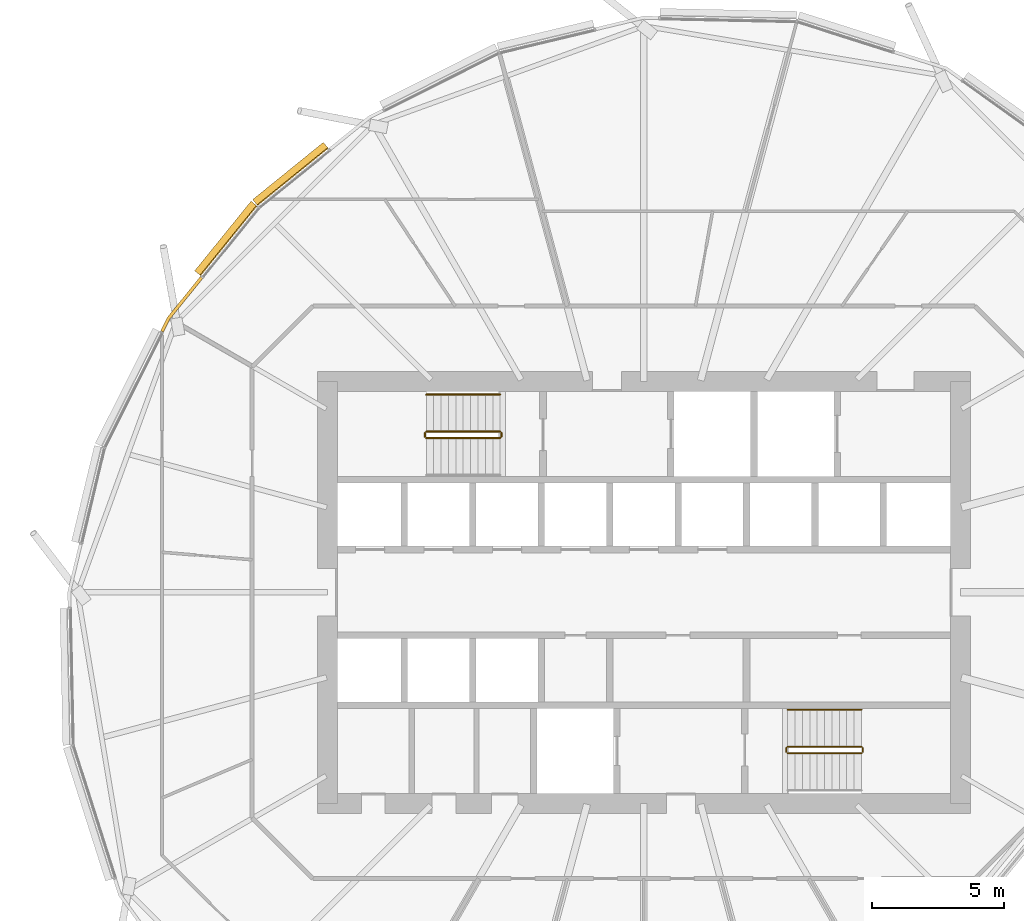
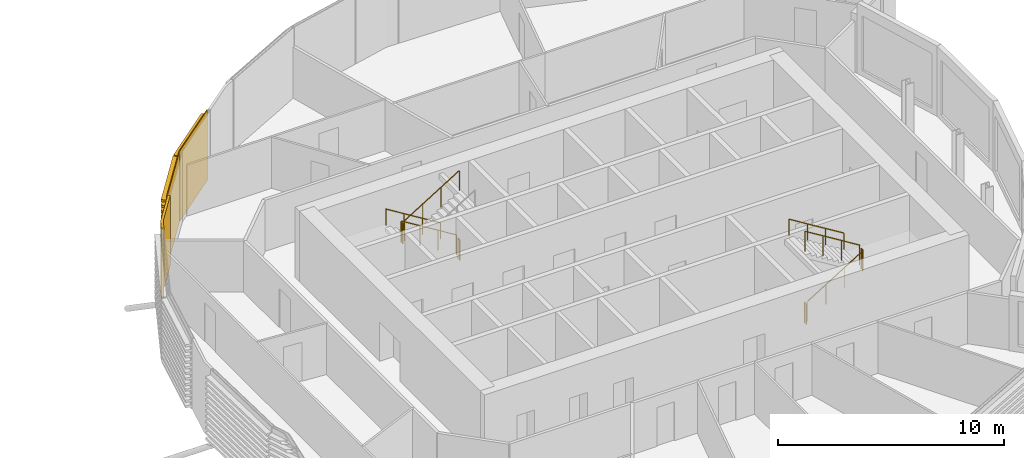
# One storey, part 37 of 38: 10 railings, 3 coverings.
"""IFC4 building model written with IfcOpenShell, lengths in metres."""

import ifcopenshell
import ifcopenshell.guid

model = None  # the IFC model being written
_history = None  # IfcOwnerHistory: only IFC2X3 demands one
_inside = {}  # id of a spatial element -> (the spatial element, [elements in it])
_under = {}  # id of a project, library or spatial element -> (it, [spatial elements below it])
_declared = {}  # id of a project -> (the project, [libraries it declares])
_typed = {}  # id of a type object -> (the type object, [elements of that type])
_made_of = {}  # id of a material, layer set ... -> (it, [elements and type objects made of it])


def new_model(schema):
    """Start an empty IFC model of exactly this schema.

    Asked for "IFC4X3", IfcOpenShell would pick the latest addendum, in which some entities
    have other attributes; the version numbers below select the first issue.
    IFC2X3 requires an IfcOwnerHistory on every rooted entity: one is made here for all.
    """
    global model, _history
    if schema == "IFC4X3":
        model = ifcopenshell.file(schema_version=(4, 3, 0, 0))
    else:
        model = ifcopenshell.file(schema=schema)
    _inside.clear()
    _under.clear()
    _declared.clear()
    _typed.clear()
    _made_of.clear()
    _history = None
    if model.schema == "IFC2X3":
        org = make("IfcOrganization", Name="unknown")
        user = make(
            "IfcPersonAndOrganization",
            ThePerson=make("IfcPerson", FamilyName="unknown"),
            TheOrganization=org,
        )
        app = make(
            "IfcApplication",
            ApplicationDeveloper=org,
            Version="unknown",
            ApplicationFullName="unknown",
            ApplicationIdentifier="unknown",
        )
        _history = make(
            "IfcOwnerHistory",
            OwningUser=user,
            OwningApplication=app,
            ChangeAction="ADDED",
            CreationDate=0,
        )
    return model


def make(cls, **values):
    """One entity of the class cls with the attributes given. An attribute that is None is left unset."""
    return model.create_entity(
        cls, **{name: value for name, value in values.items() if value is not None}
    )


def rooted(cls, **values):
    """An entity with a GlobalId (a new one), such as an element, a storey or a relation."""
    return make(cls, GlobalId=ifcopenshell.guid.new(), OwnerHistory=_history, **values)


def si_unit(unit_type, name, prefix=None):
    """IfcSIUnit, for example si_unit("LENGTHUNIT", "METRE", prefix="MILLI")."""
    return make("IfcSIUnit", UnitType=unit_type, Prefix=prefix, Name=name)


def assignment(units):
    """IfcUnitAssignment: the units of a project."""
    return None if units is None else make("IfcUnitAssignment", Units=units)


def point(xyz):
    """IfcCartesianPoint."""
    return None if xyz is None else make("IfcCartesianPoint", Coordinates=xyz)


def direction(xyz):
    """IfcDirection."""
    return None if xyz is None else make("IfcDirection", DirectionRatios=xyz)


def frame(location, z_axis=None, x_axis=None):
    """IfcAxis2Placement3D, a coordinate frame: its origin and axes. An axis left out is left unset."""
    return make(
        "IfcAxis2Placement3D",
        Location=point(location),
        Axis=direction(z_axis),
        RefDirection=direction(x_axis),
    )


def frame_2d(location, x_axis=None):
    """IfcAxis2Placement2D, a coordinate frame in the plane: its origin and x axis."""
    return make(
        "IfcAxis2Placement2D", Location=point(location), RefDirection=direction(x_axis)
    )


def origin():
    """The frame at (0, 0, 0) with its axes left unset."""
    return frame((0.0, 0.0, 0.0))


def origin_2d():
    """The frame at (0, 0) in the plane with its x axis left unset."""
    return frame_2d((0.0, 0.0))


def place(relative_to, where):
    """IfcLocalPlacement: puts the frame where relative to a parent placement (None: the world)."""
    return make(
        "IfcLocalPlacement", PlacementRelTo=relative_to, RelativePlacement=where
    )


def context(
    kind, dimensions, precision=None, world=None, true_north=None, identifier=None
):
    """IfcGeometricRepresentationContext, for example the 3D "Model" context."""
    return make(
        "IfcGeometricRepresentationContext",
        ContextIdentifier=identifier,
        ContextType=kind,
        CoordinateSpaceDimension=dimensions,
        Precision=precision,
        WorldCoordinateSystem=world,
        TrueNorth=true_north,
    )


def subcontext(parent, identifier, kind, view, scale=None):
    """IfcGeometricRepresentationSubContext, for example "Body" below "Model"."""
    return make(
        "IfcGeometricRepresentationSubContext",
        ContextIdentifier=identifier,
        ContextType=kind,
        ParentContext=parent,
        TargetScale=scale,
        TargetView=view,
    )


def project(units=None, contexts=None):
    """IfcProject with its units and contexts."""
    return rooted(
        "IfcProject",
        Name="project",
        RepresentationContexts=contexts,
        UnitsInContext=assignment(units),
    )


def spatial(cls, under=None, at=None, **own):
    """A site, building, storey or space (cls), placed at a placement, below another one or the project."""
    s = rooted(cls, ObjectPlacement=at, **own)
    if under is not None:
        _under.setdefault(under.id(), (under, []))[1].append(s)
    return s


def polyline(points):
    """IfcPolyline through the points."""
    return make("IfcPolyline", Points=[point(p) for p in points])


def profile(cls, at=None, kind="AREA", **sizes):
    """A parametric profile (cls). Its sizes go by their IFC names, for example OverallWidth=200.0."""
    return make(cls, ProfileType=kind, Position=at, **sizes)


def circle(**sizes):
    """IfcCircleProfileDef."""
    return profile("IfcCircleProfileDef", **sizes)


def outline(outer, holes=None, kind="AREA"):
    """IfcArbitraryClosedProfileDef: a profile drawn as a closed curve; with holes, ...WithVoids."""
    if holes is None:
        return make("IfcArbitraryClosedProfileDef", ProfileType=kind, OuterCurve=outer)
    return make(
        "IfcArbitraryProfileDefWithVoids",
        ProfileType=kind,
        OuterCurve=outer,
        InnerCurves=holes,
    )


def extrude(swept, where, along, depth):
    """IfcExtrudedAreaSolid: the profile swept, set in the frame where, extruded along a direction by depth."""
    return make(
        "IfcExtrudedAreaSolid",
        SweptArea=swept,
        Position=where,
        ExtrudedDirection=direction(along),
        Depth=depth,
    )


def shape(context_of_items, identifier, shape_type, items):
    """IfcShapeRepresentation: the items that make up one representation, for example the "Body"."""
    return make(
        "IfcShapeRepresentation",
        ContextOfItems=context_of_items,
        RepresentationIdentifier=identifier,
        RepresentationType=shape_type,
        Items=items,
    )


def material(Name=None, Category=None):
    """IfcMaterial."""
    return make("IfcMaterial", Name=Name, Category=Category)


def layer(
    of_material, thickness, ventilated=None, Name=None, Category=None, Priority=None
):
    """IfcMaterialLayer: one layer of a wall or slab, of a material (None: an air gap)."""
    return make(
        "IfcMaterialLayer",
        Material=of_material,
        LayerThickness=thickness,
        IsVentilated=ventilated,
        Name=Name,
        Category=Category,
        Priority=Priority,
    )


def layer_set(layers, Name=None):
    """IfcMaterialLayerSet."""
    return make("IfcMaterialLayerSet", MaterialLayers=layers, LayerSetName=Name)


def material_profile(
    of_material, cross_section, Name=None, Category=None, Priority=None
):
    """IfcMaterialProfile: a cross section and its material."""
    return make(
        "IfcMaterialProfile",
        Name=Name,
        Material=of_material,
        Profile=cross_section,
        Priority=Priority,
        Category=Category,
    )


def profile_set(profiles, Name=None, composite=None):
    """IfcMaterialProfileSet."""
    return make(
        "IfcMaterialProfileSet",
        Name=Name,
        MaterialProfiles=profiles,
        CompositeProfile=composite,
    )


def made_of(thing, what):
    """Note that an element or type object is made of a material, layer set ...; save() writes the relation."""
    if what is not None:
        _made_of.setdefault(what.id(), (what, []))[1].append(thing)
    return thing


def type_object(cls, material=None, **own):
    """A type object (cls), such as IfcWallType, which elements share."""
    return made_of(rooted(cls, **own), material)


def element(
    cls,
    number,
    at=None,
    inside=None,
    cuts=None,
    type_object=None,
    material=None,
    context=None,
    identifier="Body",
    shape_type=None,
    held_by="IfcProductDefinitionShape",
    body=None,
    shapes=None,
    **own,
):
    """One element of the class cls, such as IfcWall. Its Tag is "e" and its number.

    at: its placement. inside: the storey or other place that contains it. cuts: it is an
    opening in that element (IfcRelVoidsElement). A single representation is given by context,
    identifier, shape_type and body (its items); several are given by shapes. held_by: the class
    of the entity that holds the representations. save() writes the other relations.
    """
    e = rooted(cls, Tag="e%d" % number, ObjectPlacement=at, **own)
    if body is not None:
        shapes = [shape(context, identifier, shape_type, body)]
    if shapes is not None:
        e.Representation = make(held_by, Representations=shapes)
    if inside is not None:
        _inside.setdefault(inside.id(), (inside, []))[1].append(e)
    if cuts is not None:
        rooted(
            "IfcRelVoidsElement", RelatingBuildingElement=cuts, RelatedOpeningElement=e
        )
    if type_object is not None:
        _typed.setdefault(type_object.id(), (type_object, []))[1].append(e)
    return made_of(e, material)


def aggregate(whole, parts):
    """IfcRelAggregates: a whole, such as a stair, and the parts it consists of."""
    return rooted("IfcRelAggregates", RelatingObject=whole, RelatedObjects=parts)


def save(model, path):
    """Write the relations noted so far, then the file.

    IfcRelAggregates (storeys below a building ...), IfcRelContainedInSpatialStructure (elements
    in a storey), IfcRelDefinesByType, IfcRelAssociatesMaterial and IfcRelDeclares: one each for
    every whole, place, type object, material and project.
    """
    for whole, parts in _under.values():
        aggregate(whole, parts)
    for where, things in _inside.values():
        rooted(
            "IfcRelContainedInSpatialStructure",
            RelatedElements=things,
            RelatingStructure=where,
        )
    for kind, things in _typed.values():
        rooted("IfcRelDefinesByType", RelatedObjects=things, RelatingType=kind)
    for what, things in _made_of.values():
        rooted("IfcRelAssociatesMaterial", RelatedObjects=things, RelatingMaterial=what)
    for by, libraries in _declared.values():
        rooted("IfcRelDeclares", RelatingContext=by, RelatedDefinitions=libraries)
    model.write(path)


model = new_model("IFC4")

# Units and contexts
model_context = context("Model", 3, precision=1e-05, world=origin(), true_north=direction((0.0, 1.0)))
body_context = subcontext(model_context, "Body", "Model", "MODEL_VIEW")
ifc_project = project(units=[si_unit("LENGTHUNIT", "METRE"), si_unit("AREAUNIT", "SQUARE_METRE"), si_unit("VOLUMEUNIT", "CUBIC_METRE"), si_unit("PLANEANGLEUNIT", "RADIAN"), si_unit("MASSUNIT", "GRAM", prefix="KILO")], contexts=[model_context])

# Site, building, storey
site_placement = place(None, origin())
site = spatial("IfcSite", under=ifc_project, at=site_placement, CompositionType="ELEMENT")
building_placement = place(site_placement, origin())
building = spatial("IfcBuilding", under=site, at=building_placement, Name="Rimbun Link Towers", CompositionType="ELEMENT")
storey_placement = place(building_placement, frame((0.0, 0.0, 123.39990234375)))
storey = spatial("IfcBuildingStorey", under=building, at=storey_placement, Name="L30", CompositionType="ELEMENT", Elevation=123.39990234375)

# Covering
ifc_material_1 = material(Name="Terracotta", Category="masonry")
ifc_layer = layer(ifc_material_1, 0.1201171875)
ifc_layer_set = layer_set([ifc_layer], Name="LINK PIER terracotta cladding 120")
covering_type_1 = type_object("IfcCoveringType", Name="LINK PIER terracotta cladding 120", PredefinedType="CLADDING", material=ifc_layer_set)
covering_1_placement = place(storey_placement, origin())
element("IfcCovering", 1, at=covering_1_placement, inside=storey, type_object=covering_type_1, Name="LINK PIER cladding", PredefinedType="CLADDING", context=body_context, shape_type="SweptSolid", body=[
    extrude(outline(polyline([(13.532470703125, 9.86083984375), (13.788330078125, 10.3701171875), (15.02783203125, 11.9013671875), (14.9345703125, 11.97705078125), (13.686767578125, 10.435546875), (13.42529296875, 9.914794921875), (13.532470703125, 9.86083984375)])), origin(), (0.0, 0.0, 1.0), 3.800048828125),
])

# Railings
ifc_material_2 = material(Name="Stainless steel grade 316", Category="steel")
railing_type_1 = type_object("IfcRailingType", Name="Stair guard", PredefinedType="GUARDRAIL", material=ifc_material_2)
railing_1_placement = place(storey_placement, frame((26.300048828125, 6.10009765625, 0.1728515625)))
element("IfcRailing", 2, at=railing_1_placement, inside=storey, type_object=railing_type_1, Name="L30 ST3 stair guard 1", PredefinedType="GUARDRAIL", context=body_context, shape_type="SweptSolid", body=[
    extrude(circle(Radius=0.02392578125, at=origin_2d()), frame((0.0, 0.0, 1.076171875), z_axis=(-0.851089632645, 0.0, 0.525020415988), x_axis=(0.0, -1.0, 0.0)), (0.0, 0.0, 1.0), 3.2900390625),
    extrude(circle(Radius=0.02099609375, at=origin_2d()), origin(), (0.0, 0.0, 1.0), 1.052001953125),
    extrude(circle(Radius=0.02099609375, at=origin_2d()), frame((-0.933349609375, 0.0, 0.57568359375)), (0.0, 0.0, 1.0), 1.052001953125),
    extrude(circle(Radius=0.02099609375, at=origin_2d()), frame((-1.86669921875, 0.0, 1.151611328125)), (0.0, 0.0, 1.0), 1.052001953125),
    extrude(circle(Radius=0.02099609375, at=origin_2d()), frame((-2.800048828125, 0.0, 1.727294921875)), (0.0, 0.0, 1.0), 1.052001953125),
])
railing_2_placement = place(storey_placement, frame((23.449951171875, 6.050048828125, 1.900146484375)))
element("IfcRailing", 3, at=railing_2_placement, inside=storey, type_object=railing_type_1, Name="L30 ST3 stair guard 2", PredefinedType="GUARDRAIL", context=body_context, shape_type="SweptSolid", body=[
    extrude(circle(Radius=0.02392578125, at=origin_2d()), frame((0.0, 0.0, 1.076171875), z_axis=(0.0, -1.0, 0.0), x_axis=(1.0, 0.0, 0.0)), (0.0, 0.0, 1.0), 0.150146484375),
    extrude(circle(Radius=0.02099609375, at=origin_2d()), origin(), (0.0, 0.0, 1.0), 1.052001953125),
    extrude(circle(Radius=0.02099609375, at=origin_2d()), frame((0.0, -0.150146484375, 0.0)), (0.0, 0.0, 1.0), 1.052001953125),
])
railing_3_placement = place(storey_placement, frame((23.5, 5.85009765625, 2.07275390625)))
element("IfcRailing", 4, at=railing_3_placement, inside=storey, type_object=railing_type_1, Name="L30 ST3 stair guard 3", PredefinedType="GUARDRAIL", context=body_context, shape_type="SweptSolid", body=[
    extrude(circle(Radius=0.02392578125, at=origin_2d()), frame((0.0, 0.0, 1.076171875), z_axis=(0.851089632645, 0.0, 0.525020415988), x_axis=(0.0, 1.0, 0.0)), (0.0, 0.0, 1.0), 3.2900390625),
    extrude(circle(Radius=0.02099609375, at=origin_2d()), origin(), (0.0, 0.0, 1.0), 1.052001953125),
    extrude(circle(Radius=0.02099609375, at=origin_2d()), frame((0.933349609375, 0.0, 0.57568359375)), (0.0, 0.0, 1.0), 1.052001953125),
    extrude(circle(Radius=0.02099609375, at=origin_2d()), frame((1.86669921875, 0.0, 1.151611328125)), (0.0, 0.0, 1.0), 1.052001953125),
    extrude(circle(Radius=0.02099609375, at=origin_2d()), frame((2.800048828125, 0.0, 1.727294921875)), (0.0, 0.0, 1.0), 1.052001953125),
])
railing_4_placement = place(storey_placement, frame((26.35009765625, 6.050048828125, 0.0)))
element("IfcRailing", 5, at=railing_4_placement, inside=storey, type_object=railing_type_1, Name="L30 ST3 stair guard 4", PredefinedType="GUARDRAIL", context=body_context, shape_type="SweptSolid", body=[
    extrude(circle(Radius=0.02392578125, at=origin_2d()), frame((0.0, 0.0, 1.076171875), z_axis=(0.0, -1.0, 0.0), x_axis=(1.0, 0.0, 0.0)), (0.0, 0.0, 1.0), 0.150146484375),
    extrude(circle(Radius=0.02099609375, at=origin_2d()), origin(), (0.0, 0.0, 1.0), 1.052001953125),
    extrude(circle(Radius=0.02099609375, at=origin_2d()), frame((0.0, -0.150146484375, 0.0)), (0.0, 0.0, 1.0), 1.052001953125),
])
railing_5_placement = place(storey_placement, frame((37.199951171875, -6.10009765625, 0.1728515625)))
element("IfcRailing", 6, at=railing_5_placement, inside=storey, type_object=railing_type_1, Name="L30 ST4 stair guard 1", PredefinedType="GUARDRAIL", context=body_context, shape_type="SweptSolid", body=[
    extrude(circle(Radius=0.02392578125, at=origin_2d()), frame((0.0, 0.0, 1.076171875), z_axis=(0.851089632645, 0.0, 0.525020415988), x_axis=(0.0, 1.0, 0.0)), (0.0, 0.0, 1.0), 3.2900390625),
    extrude(circle(Radius=0.02099609375, at=origin_2d()), origin(), (0.0, 0.0, 1.0), 1.052001953125),
    extrude(circle(Radius=0.02099609375, at=origin_2d()), frame((0.933349609375, 0.0, 0.57568359375)), (0.0, 0.0, 1.0), 1.052001953125),
    extrude(circle(Radius=0.02099609375, at=origin_2d()), frame((1.86669921875, 0.0, 1.151611328125)), (0.0, 0.0, 1.0), 1.052001953125),
    extrude(circle(Radius=0.02099609375, at=origin_2d()), frame((2.800048828125, 0.0, 1.727294921875)), (0.0, 0.0, 1.0), 1.052001953125),
])
railing_6_placement = place(storey_placement, frame((40.050048828125, -6.050048828125, 1.900146484375)))
element("IfcRailing", 7, at=railing_6_placement, inside=storey, type_object=railing_type_1, Name="L30 ST4 stair guard 2", PredefinedType="GUARDRAIL", context=body_context, shape_type="SweptSolid", body=[
    extrude(circle(Radius=0.02392578125, at=origin_2d()), frame((0.0, 0.0, 1.076171875), z_axis=(0.0, 1.0, 0.0), x_axis=(-1.0, 0.0, 0.0)), (0.0, 0.0, 1.0), 0.150146484375),
    extrude(circle(Radius=0.02099609375, at=origin_2d()), origin(), (0.0, 0.0, 1.0), 1.052001953125),
    extrude(circle(Radius=0.02099609375, at=origin_2d()), frame((0.0, 0.150146484375, 0.0)), (0.0, 0.0, 1.0), 1.052001953125),
])
railing_7_placement = place(storey_placement, frame((40.0, -5.85009765625, 2.07275390625)))
element("IfcRailing", 8, at=railing_7_placement, inside=storey, type_object=railing_type_1, Name="L30 ST4 stair guard 3", PredefinedType="GUARDRAIL", context=body_context, shape_type="SweptSolid", body=[
    extrude(circle(Radius=0.02392578125, at=origin_2d()), frame((0.0, 0.0, 1.076171875), z_axis=(-0.851089632645, 0.0, 0.525020415988), x_axis=(0.0, -1.0, 0.0)), (0.0, 0.0, 1.0), 3.2900390625),
    extrude(circle(Radius=0.02099609375, at=origin_2d()), origin(), (0.0, 0.0, 1.0), 1.052001953125),
    extrude(circle(Radius=0.02099609375, at=origin_2d()), frame((-0.933349609375, 0.0, 0.57568359375)), (0.0, 0.0, 1.0), 1.052001953125),
    extrude(circle(Radius=0.02099609375, at=origin_2d()), frame((-1.86669921875, 0.0, 1.151611328125)), (0.0, 0.0, 1.0), 1.052001953125),
    extrude(circle(Radius=0.02099609375, at=origin_2d()), frame((-2.800048828125, 0.0, 1.727294921875)), (0.0, 0.0, 1.0), 1.052001953125),
])
railing_8_placement = place(storey_placement, frame((37.14990234375, -6.050048828125, 0.0)))
element("IfcRailing", 9, at=railing_8_placement, inside=storey, type_object=railing_type_1, Name="L30 ST4 stair guard 4", PredefinedType="GUARDRAIL", context=body_context, shape_type="SweptSolid", body=[
    extrude(circle(Radius=0.02392578125, at=origin_2d()), frame((0.0, 0.0, 1.076171875), z_axis=(0.0, 1.0, 0.0), x_axis=(-1.0, 0.0, 0.0)), (0.0, 0.0, 1.0), 0.150146484375),
    extrude(circle(Radius=0.02099609375, at=origin_2d()), origin(), (0.0, 0.0, 1.0), 1.052001953125),
    extrude(circle(Radius=0.02099609375, at=origin_2d()), frame((0.0, 0.150146484375, 0.0)), (0.0, 0.0, 1.0), 1.052001953125),
])
ifc_material_3 = material(Name="Stainless steel grade 316", Category="steel")
railing_type_2 = type_object("IfcRailingType", Name="Stair handrail", PredefinedType="HANDRAIL", material=ifc_material_3)
for number, where, name in (
    (10, (26.300048828125, 7.5, 0.1728515625), "L30 ST3 stair handrail 1"),
    (11, (40.0, -4.449951171875, 2.07275390625), "L30 ST4 stair handrail 2"),
):
    element("IfcRailing", number, at=place(storey_placement, frame(where)), inside=storey, type_object=railing_type_2, Name=name, PredefinedType="HANDRAIL", context=body_context, shape_type="SweptSolid", body=[
        extrude(circle(Radius=0.02392578125, at=origin_2d()), frame((0.0, 0.0, 0.8759765625), z_axis=(-0.851089632645, 0.0, 0.525020415988), x_axis=(0.0, -1.0, 0.0)), (0.0, 0.0, 1.0), 3.2900390625),
        extrude(circle(Radius=0.02099609375, at=origin_2d()), origin(), (0.0, 0.0, 1.0), 0.851806640625),
        extrude(circle(Radius=0.02099609375, at=origin_2d()), frame((-0.933349609375, 0.0, 0.57568359375)), (0.0, 0.0, 1.0), 0.851806640625),
        extrude(circle(Radius=0.02099609375, at=origin_2d()), frame((-1.86669921875, 0.0, 1.151611328125)), (0.0, 0.0, 1.0), 0.851806640625),
        extrude(circle(Radius=0.02099609375, at=origin_2d()), frame((-2.800048828125, 0.0, 1.727294921875)), (0.0, 0.0, 1.0), 0.851806640625),
    ])

# Coverings
ifc_material_4 = material(Name="Terracotta", Category="masonry")
ifc_material_profile = material_profile(ifc_material_4, outline(polyline([(0.123046875, 0.0), (0.1630859375, 0.0), (0.1630859375, 0.10009765625), (0.423095703125, 0.10009765625), (0.423095703125, 0.219970703125), (0.1630859375, 0.219970703125), (0.1630859375, 0.39990234375), (0.423095703125, 0.39990234375), (0.423095703125, 0.52001953125), (0.1630859375, 0.52001953125), (0.1630859375, 0.699951171875), (0.423095703125, 0.699951171875), (0.423095703125, 0.820068359375), (0.1630859375, 0.820068359375), (0.1630859375, 1.0), (0.423095703125, 1.0), (0.423095703125, 1.1201171875), (0.1630859375, 1.1201171875), (0.1630859375, 1.300048828125), (0.423095703125, 1.300048828125), (0.423095703125, 1.419921875), (0.1630859375, 1.419921875), (0.1630859375, 1.60009765625), (0.423095703125, 1.60009765625), (0.423095703125, 1.719970703125), (0.1630859375, 1.719970703125), (0.1630859375, 1.89990234375), (0.423095703125, 1.89990234375), (0.423095703125, 2.02001953125), (0.1630859375, 2.02001953125), (0.1630859375, 2.199951171875), (0.423095703125, 2.199951171875), (0.423095703125, 2.320068359375), (0.1630859375, 2.320068359375), (0.1630859375, 2.5), (0.423095703125, 2.5), (0.423095703125, 2.6201171875), (0.1630859375, 2.6201171875), (0.1630859375, 2.800048828125), (0.423095703125, 2.800048828125), (0.423095703125, 2.919921875), (0.1630859375, 2.919921875), (0.1630859375, 3.10009765625), (0.423095703125, 3.10009765625), (0.423095703125, 3.219970703125), (0.1630859375, 3.219970703125), (0.1630859375, 3.39990234375), (0.423095703125, 3.39990234375), (0.423095703125, 3.52001953125), (0.1630859375, 3.52001953125), (0.1630859375, 3.800048828125), (0.123046875, 3.800048828125), (0.123046875, 0.0)])), Name="BAGUETTE 120X300")
ifc_profile_set = profile_set([ifc_material_profile], Name="Terracotta")
covering_type_2 = type_object("IfcCoveringType", Name="TERRACOTTA BAGUETTE 120X300 H3800", PredefinedType="CLADDING", material=ifc_profile_set)
covering_2_placement = place(storey_placement, frame((17.184326171875, 14.565673828125, 0.0), z_axis=(0.777256414258, 0.629183968721, 0.0), x_axis=(-0.629183968721, 0.777256414258, 0.0)))
element("IfcCovering", 12, at=covering_2_placement, inside=storey, type_object=covering_type_2, Name="TERRACOTTA BAGUETTE", PredefinedType="CLADDING", context=body_context, shape_type="SweptSolid", body=[
    extrude(outline(polyline([(0.123046875, 0.0), (0.1630859375, 0.0), (0.1630859375, 0.10009765625), (0.423095703125, 0.10009765625), (0.423095703125, 0.219970703125), (0.1630859375, 0.219970703125), (0.1630859375, 0.39990234375), (0.423095703125, 0.39990234375), (0.423095703125, 0.52001953125), (0.1630859375, 0.52001953125), (0.1630859375, 0.699951171875), (0.423095703125, 0.699951171875), (0.423095703125, 0.820068359375), (0.1630859375, 0.820068359375), (0.1630859375, 1.0), (0.423095703125, 1.0), (0.423095703125, 1.1201171875), (0.1630859375, 1.1201171875), (0.1630859375, 1.300048828125), (0.423095703125, 1.300048828125), (0.423095703125, 1.419921875), (0.1630859375, 1.419921875), (0.1630859375, 1.60009765625), (0.423095703125, 1.60009765625), (0.423095703125, 1.719970703125), (0.1630859375, 1.719970703125), (0.1630859375, 1.89990234375), (0.423095703125, 1.89990234375), (0.423095703125, 2.02001953125), (0.1630859375, 2.02001953125), (0.1630859375, 2.199951171875), (0.423095703125, 2.199951171875), (0.423095703125, 2.320068359375), (0.1630859375, 2.320068359375), (0.1630859375, 2.5), (0.423095703125, 2.5), (0.423095703125, 2.6201171875), (0.1630859375, 2.6201171875), (0.1630859375, 2.800048828125), (0.423095703125, 2.800048828125), (0.423095703125, 2.919921875), (0.1630859375, 2.919921875), (0.1630859375, 3.10009765625), (0.423095703125, 3.10009765625), (0.423095703125, 3.219970703125), (0.1630859375, 3.219970703125), (0.1630859375, 3.39990234375), (0.423095703125, 3.39990234375), (0.423095703125, 3.52001953125), (0.1630859375, 3.52001953125), (0.1630859375, 3.800048828125), (0.123046875, 3.800048828125), (0.123046875, 0.0)])), origin(), (0.0, 0.0, 1.0), 3.447509765625),
])
covering_3_placement = place(storey_placement, frame((15.046630859375, 11.9248046875, 0.0), z_axis=(0.629171356107, 0.777266623916, 0.0), x_axis=(-0.777266623916, 0.629171356107, 0.0)))
element("IfcCovering", 13, at=covering_3_placement, inside=storey, type_object=covering_type_2, Name="TERRACOTTA BAGUETTE", PredefinedType="CLADDING", context=body_context, shape_type="SweptSolid", body=[
    extrude(outline(polyline([(0.123046875, 0.0), (0.1630859375, 0.0), (0.1630859375, 0.10009765625), (0.423095703125, 0.10009765625), (0.423095703125, 0.219970703125), (0.1630859375, 0.219970703125), (0.1630859375, 0.39990234375), (0.423095703125, 0.39990234375), (0.423095703125, 0.52001953125), (0.1630859375, 0.52001953125), (0.1630859375, 0.699951171875), (0.423095703125, 0.699951171875), (0.423095703125, 0.820068359375), (0.1630859375, 0.820068359375), (0.1630859375, 1.0), (0.423095703125, 1.0), (0.423095703125, 1.1201171875), (0.1630859375, 1.1201171875), (0.1630859375, 1.300048828125), (0.423095703125, 1.300048828125), (0.423095703125, 1.419921875), (0.1630859375, 1.419921875), (0.1630859375, 1.60009765625), (0.423095703125, 1.60009765625), (0.423095703125, 1.719970703125), (0.1630859375, 1.719970703125), (0.1630859375, 1.89990234375), (0.423095703125, 1.89990234375), (0.423095703125, 2.02001953125), (0.1630859375, 2.02001953125), (0.1630859375, 2.199951171875), (0.423095703125, 2.199951171875), (0.423095703125, 2.320068359375), (0.1630859375, 2.320068359375), (0.1630859375, 2.5), (0.423095703125, 2.5), (0.423095703125, 2.6201171875), (0.1630859375, 2.6201171875), (0.1630859375, 2.800048828125), (0.423095703125, 2.800048828125), (0.423095703125, 2.919921875), (0.1630859375, 2.919921875), (0.1630859375, 3.10009765625), (0.423095703125, 3.10009765625), (0.423095703125, 3.219970703125), (0.1630859375, 3.219970703125), (0.1630859375, 3.39990234375), (0.423095703125, 3.39990234375), (0.423095703125, 3.52001953125), (0.1630859375, 3.52001953125), (0.1630859375, 3.800048828125), (0.123046875, 3.800048828125), (0.123046875, 0.0)])), origin(), (0.0, 0.0, 1.0), 3.397705078125),
])

save(model, "model.ifc")
